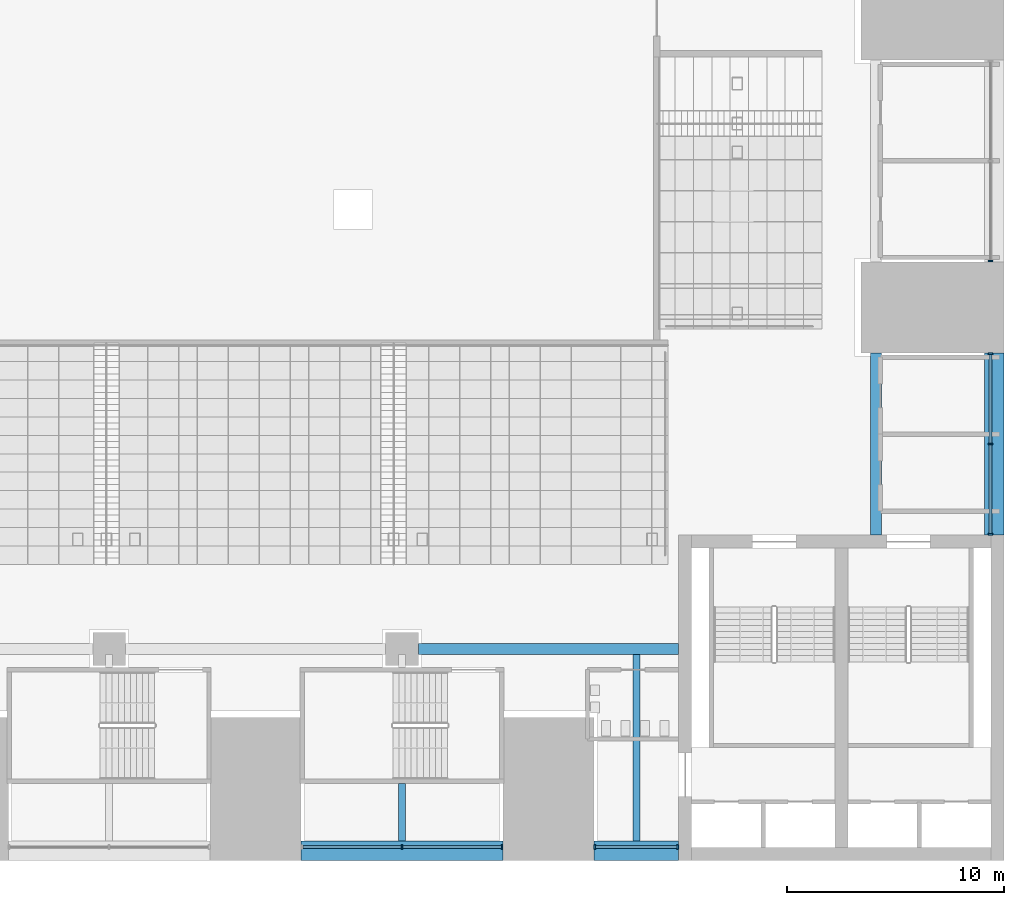
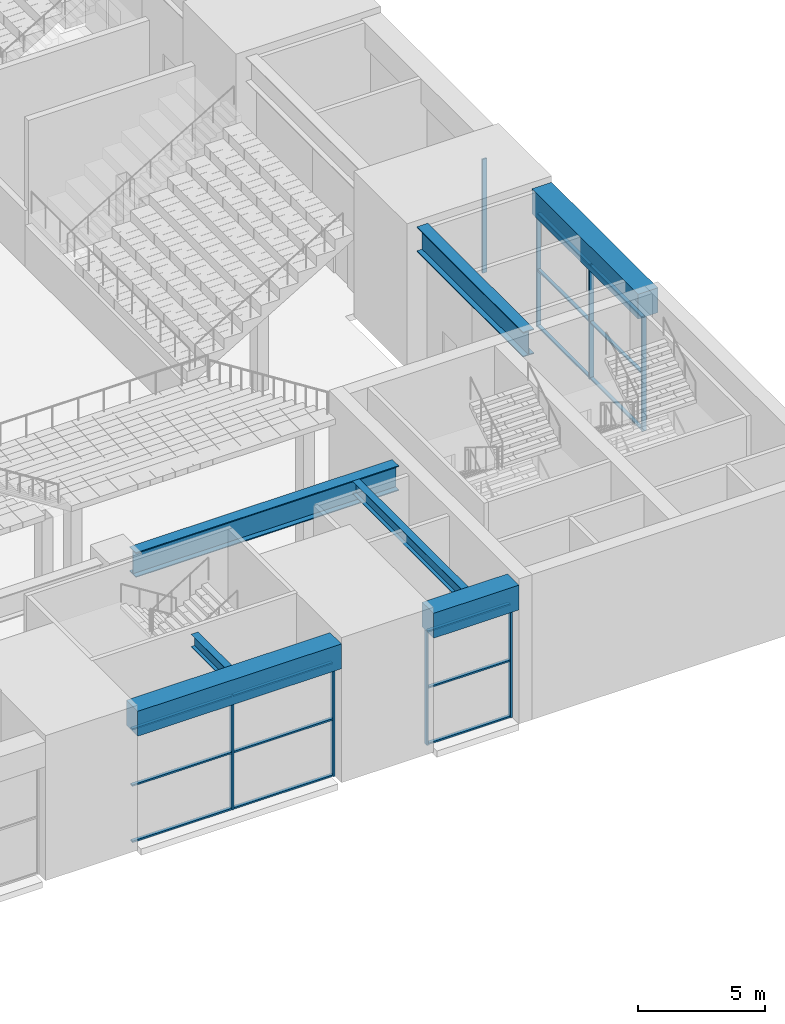
# One storey, part 8 of 62: 23 members, 7 beams, 4 elements without a shape of their own.
"""IFC4 building model written with IfcOpenShell, lengths in metres."""

from ifc_helpers import new_model, si_unit, direction, frame, origin, origin_2d, place, context, subcontext, project, spatial, rectangle, i_section, extrude, material, layer, layer_set, material_profile, profile_set, type_object, element, aggregate, save


model = new_model("IFC4")

# Units and contexts
model_context = context("Model", 3, precision=1e-05, world=origin(), true_north=direction((0.0, 1.0)))
body_context = subcontext(model_context, "Body", "Model", "MODEL_VIEW")
ifc_project = project(units=[si_unit("LENGTHUNIT", "METRE"), si_unit("AREAUNIT", "SQUARE_METRE"), si_unit("VOLUMEUNIT", "CUBIC_METRE"), si_unit("PLANEANGLEUNIT", "RADIAN"), si_unit("MASSUNIT", "GRAM", prefix="KILO")], contexts=[model_context])

# Site, building, storey
site_placement = place(None, origin())
site = spatial("IfcSite", under=ifc_project, at=site_placement, CompositionType="ELEMENT")
building_placement = place(site_placement, origin())
building = spatial("IfcBuilding", under=site, at=building_placement, Name="Corbelhall Arena Tower", CompositionType="ELEMENT")
storey_placement = place(building_placement, frame((0.0, 0.0, 12.0)))
storey = spatial("IfcBuildingStorey", under=building, at=storey_placement, Name="L01", CompositionType="ELEMENT", Elevation=12.0)

# Curtain wall, members
ifc_material_1 = material(Name="Aluminium black anodised", Category="aluminium")
ifc_layer = layer(ifc_material_1, 0.239990234375)
ifc_layer_set = layer_set([ifc_layer], Name="EV-CW4 Arena concourse glazing")
curtain_wall_type = type_object("IfcCurtainWallType", Name="EV-CW4 Arena concourse glazing", PredefinedType="NOTDEFINED", material=ifc_layer_set)
curtain_wall_1_placement = place(storey_placement, origin())
curtain_wall_1 = element("IfcCurtainWall", 1, at=curtain_wall_1_placement, inside=storey, type_object=curtain_wall_type, Name="Curtain wall CW4", PredefinedType="NOTDEFINED")
ifc_material_profile_1 = material_profile(ifc_material_1, rectangle(XDim=0.199951171875, YDim=0.074951171875, at=origin_2d()))
ifc_profile_set_1 = profile_set([ifc_material_profile_1], Name="Aluminium black anodised")
member_type_1 = type_object("IfcMemberType", Name="EV-CW4-MULLION", PredefinedType="MULLION", material=ifc_profile_set_1)
member_1_placement = place(storey_placement, frame((20.25, -38.3798828125, 0.0), z_axis=(0.0, 0.0, 1.0), x_axis=(0.0, 1.0, 0.0)))
member_1 = element("IfcMember", 2, at=member_1_placement, type_object=member_type_1, Name="CW4 mullion 2", PredefinedType="MULLION", context=body_context, shape_type="SweptSolid", body=[
    extrude(rectangle(XDim=0.199951171875, YDim=0.074951171875, at=origin_2d()), origin(), (0.0, 0.0, 1.0), 5.5),
])
member_2_placement = place(storey_placement, frame((24.862548828125, -38.3798828125, 0.0), z_axis=(0.0, 0.0, 1.0), x_axis=(0.0, 1.0, 0.0)))
member_2 = element("IfcMember", 3, at=member_2_placement, type_object=member_type_1, Name="CW4 mullion 3", PredefinedType="MULLION", context=body_context, shape_type="SweptSolid", body=[
    extrude(rectangle(XDim=0.199951171875, YDim=0.074951171875, at=origin_2d()), origin(), (0.0, 0.0, 1.0), 5.5),
])

curtain_wall_2_placement = place(storey_placement, origin())
curtain_wall_2 = element("IfcCurtainWall", 4, at=curtain_wall_2_placement, inside=storey, type_object=curtain_wall_type, Name="Curtain wall CW4A", PredefinedType="NOTDEFINED")
member_3_placement = place(storey_placement, frame((29.137451171875, -38.3798828125, 0.0), z_axis=(0.0, 0.0, 1.0), x_axis=(0.0, 1.0, 0.0)))
member_3 = element("IfcMember", 5, at=member_3_placement, type_object=member_type_1, Name="CW4A mullion 1", PredefinedType="MULLION", context=body_context, shape_type="SweptSolid", body=[
    extrude(rectangle(XDim=0.199951171875, YDim=0.074951171875, at=origin_2d()), origin(), (0.0, 0.0, 1.0), 5.5),
])
member_4_placement = place(storey_placement, frame((32.96240234375, -38.3798828125, 0.0), z_axis=(0.0, 0.0, 1.0), x_axis=(0.0, 1.0, 0.0)))
member_4 = element("IfcMember", 6, at=member_4_placement, type_object=member_type_1, Name="CW4A mullion 2", PredefinedType="MULLION", context=body_context, shape_type="SweptSolid", body=[
    extrude(rectangle(XDim=0.199951171875, YDim=0.074951171875, at=origin_2d()), origin(), (0.0, 0.0, 1.0), 5.5),
])

curtain_wall_3_placement = place(storey_placement, origin())
curtain_wall_3 = element("IfcCurtainWall", 7, at=curtain_wall_3_placement, inside=storey, type_object=curtain_wall_type, Name="Curtain wall CW4B", PredefinedType="NOTDEFINED")
member_5_placement = place(storey_placement, frame((47.3798828125, -23.96240234375, 0.0), z_axis=(0.0, 0.0, 1.0), x_axis=(-1.0, 0.0, 0.0)))
member_5 = element("IfcMember", 8, at=member_5_placement, type_object=member_type_1, Name="CW4B mullion 1", PredefinedType="MULLION", context=body_context, shape_type="SweptSolid", body=[
    extrude(rectangle(XDim=0.199951171875, YDim=0.074951171875, at=origin_2d()), origin(), (0.0, 0.0, 1.0), 5.5),
])
member_6_placement = place(storey_placement, frame((47.3798828125, -19.800048828125, 0.0), z_axis=(0.0, 0.0, 1.0), x_axis=(-1.0, 0.0, 0.0)))
member_6 = element("IfcMember", 9, at=member_6_placement, type_object=member_type_1, Name="CW4B mullion 2", PredefinedType="MULLION", context=body_context, shape_type="SweptSolid", body=[
    extrude(rectangle(XDim=0.199951171875, YDim=0.074951171875, at=origin_2d()), origin(), (0.0, 0.0, 1.0), 5.5),
])
member_7_placement = place(storey_placement, frame((47.3798828125, -15.637451171875, 0.0), z_axis=(0.0, 0.0, 1.0), x_axis=(-1.0, 0.0, 0.0)))
member_7 = element("IfcMember", 10, at=member_7_placement, type_object=member_type_1, Name="CW4B mullion 3", PredefinedType="MULLION", context=body_context, shape_type="SweptSolid", body=[
    extrude(rectangle(XDim=0.199951171875, YDim=0.074951171875, at=origin_2d()), origin(), (0.0, 0.0, 1.0), 5.5),
])

# Curtain wall, member
curtain_wall_4_placement = place(storey_placement, origin())
curtain_wall_4 = element("IfcCurtainWall", 11, at=curtain_wall_4_placement, inside=storey, type_object=curtain_wall_type, Name="Curtain wall CW4", PredefinedType="NOTDEFINED")
member_8_placement = place(storey_placement, frame((47.3798828125, -11.362548828125, 0.0), z_axis=(0.0, 0.0, 1.0), x_axis=(-1.0, 0.0, 0.0)))
member_8 = element("IfcMember", 12, at=member_8_placement, type_object=member_type_1, Name="CW4 mullion 1", PredefinedType="MULLION", context=body_context, shape_type="SweptSolid", body=[
    extrude(rectangle(XDim=0.199951171875, YDim=0.074951171875, at=origin_2d()), origin(), (0.0, 0.0, 1.0), 5.5),
])
aggregate(curtain_wall_4, [member_8])

# Member
ifc_material_profile_2 = material_profile(ifc_material_1, rectangle(XDim=0.14990234375, YDim=0.074951171875, at=origin_2d()))
ifc_profile_set_2 = profile_set([ifc_material_profile_2], Name="Aluminium black anodised")
member_type_2 = type_object("IfcMemberType", Name="EV-CW4-TRANSOM", PredefinedType="USERDEFINED", material=ifc_profile_set_2)
member_9_placement = place(storey_placement, frame((15.675048828125, -38.3798828125, 0.03759765625), z_axis=(1.0, 0.0, 0.0), x_axis=(0.0, 1.0, 0.0)))
member_9 = element("IfcMember", 13, at=member_9_placement, type_object=member_type_2, Name="CW4 transom 1.1", ObjectType="transom", PredefinedType="USERDEFINED", context=body_context, shape_type="SweptSolid", body=[
    extrude(rectangle(XDim=0.14990234375, YDim=0.074951171875, at=origin_2d()), origin(), (0.0, 0.0, 1.0), 4.537353515625),
])

member_10_placement = place(storey_placement, frame((15.675048828125, -38.3798828125, 2.75), z_axis=(1.0, 0.0, 0.0), x_axis=(0.0, 1.0, 0.0)))
member_10 = element("IfcMember", 14, at=member_10_placement, type_object=member_type_2, Name="CW4 transom 1.2", ObjectType="transom", PredefinedType="USERDEFINED", context=body_context, shape_type="SweptSolid", body=[
    extrude(rectangle(XDim=0.14990234375, YDim=0.074951171875, at=origin_2d()), origin(), (0.0, 0.0, 1.0), 4.537353515625),
])

member_11_placement = place(storey_placement, frame((15.675048828125, -38.3798828125, 5.46240234375), z_axis=(1.0, 0.0, 0.0), x_axis=(0.0, 1.0, 0.0)))
member_11 = element("IfcMember", 15, at=member_11_placement, type_object=member_type_2, Name="CW4 transom 1.3", ObjectType="transom", PredefinedType="USERDEFINED", context=body_context, shape_type="SweptSolid", body=[
    extrude(rectangle(XDim=0.14990234375, YDim=0.074951171875, at=origin_2d()), origin(), (0.0, 0.0, 1.0), 4.537353515625),
])

member_12_placement = place(storey_placement, frame((20.28759765625, -38.3798828125, 0.03759765625), z_axis=(1.0, 0.0, 0.0), x_axis=(0.0, 1.0, 0.0)))
member_12 = element("IfcMember", 16, at=member_12_placement, type_object=member_type_2, Name="CW4 transom 2.1", ObjectType="transom", PredefinedType="USERDEFINED", context=body_context, shape_type="SweptSolid", body=[
    extrude(rectangle(XDim=0.14990234375, YDim=0.074951171875, at=origin_2d()), origin(), (0.0, 0.0, 1.0), 4.537353515625),
])

member_13_placement = place(storey_placement, frame((20.28759765625, -38.3798828125, 2.75), z_axis=(1.0, 0.0, 0.0), x_axis=(0.0, 1.0, 0.0)))
member_13 = element("IfcMember", 17, at=member_13_placement, type_object=member_type_2, Name="CW4 transom 2.2", ObjectType="transom", PredefinedType="USERDEFINED", context=body_context, shape_type="SweptSolid", body=[
    extrude(rectangle(XDim=0.14990234375, YDim=0.074951171875, at=origin_2d()), origin(), (0.0, 0.0, 1.0), 4.537353515625),
])

member_14_placement = place(storey_placement, frame((20.28759765625, -38.3798828125, 5.46240234375), z_axis=(1.0, 0.0, 0.0), x_axis=(0.0, 1.0, 0.0)))
member_14 = element("IfcMember", 18, at=member_14_placement, type_object=member_type_2, Name="CW4 transom 2.3", ObjectType="transom", PredefinedType="USERDEFINED", context=body_context, shape_type="SweptSolid", body=[
    extrude(rectangle(XDim=0.14990234375, YDim=0.074951171875, at=origin_2d()), origin(), (0.0, 0.0, 1.0), 4.537353515625),
])

aggregate(curtain_wall_1, [member_1, member_2, member_9, member_10, member_11, member_12, member_13, member_14])

member_15_placement = place(storey_placement, frame((29.175048828125, -38.3798828125, 0.03759765625), z_axis=(1.0, 0.0, 0.0), x_axis=(0.0, 1.0, 0.0)))
member_15 = element("IfcMember", 19, at=member_15_placement, type_object=member_type_2, Name="CW4A transom 1.1", ObjectType="transom", PredefinedType="USERDEFINED", context=body_context, shape_type="SweptSolid", body=[
    extrude(rectangle(XDim=0.14990234375, YDim=0.074951171875, at=origin_2d()), origin(), (0.0, 0.0, 1.0), 3.75),
])

member_16_placement = place(storey_placement, frame((29.175048828125, -38.3798828125, 2.75), z_axis=(1.0, 0.0, 0.0), x_axis=(0.0, 1.0, 0.0)))
member_16 = element("IfcMember", 20, at=member_16_placement, type_object=member_type_2, Name="CW4A transom 1.2", ObjectType="transom", PredefinedType="USERDEFINED", context=body_context, shape_type="SweptSolid", body=[
    extrude(rectangle(XDim=0.14990234375, YDim=0.074951171875, at=origin_2d()), origin(), (0.0, 0.0, 1.0), 3.75),
])

member_17_placement = place(storey_placement, frame((29.175048828125, -38.3798828125, 5.46240234375), z_axis=(1.0, 0.0, 0.0), x_axis=(0.0, 1.0, 0.0)))
member_17 = element("IfcMember", 21, at=member_17_placement, type_object=member_type_2, Name="CW4A transom 1.3", ObjectType="transom", PredefinedType="USERDEFINED", context=body_context, shape_type="SweptSolid", body=[
    extrude(rectangle(XDim=0.14990234375, YDim=0.074951171875, at=origin_2d()), origin(), (0.0, 0.0, 1.0), 3.75),
])

aggregate(curtain_wall_2, [member_3, member_4, member_15, member_16, member_17])

member_18_placement = place(storey_placement, frame((47.3798828125, -23.925048828125, 0.03759765625), z_axis=(0.0, 1.0, 0.0), x_axis=(-1.0, 0.0, 0.0)))
member_18 = element("IfcMember", 22, at=member_18_placement, type_object=member_type_2, Name="CW4B transom 1.1", ObjectType="transom", PredefinedType="USERDEFINED", context=body_context, shape_type="SweptSolid", body=[
    extrude(rectangle(XDim=0.14990234375, YDim=0.074951171875, at=origin_2d()), origin(), (0.0, 0.0, 1.0), 4.087646484375),
])

member_19_placement = place(storey_placement, frame((47.3798828125, -23.925048828125, 2.75), z_axis=(0.0, 1.0, 0.0), x_axis=(-1.0, 0.0, 0.0)))
member_19 = element("IfcMember", 23, at=member_19_placement, type_object=member_type_2, Name="CW4B transom 1.2", ObjectType="transom", PredefinedType="USERDEFINED", context=body_context, shape_type="SweptSolid", body=[
    extrude(rectangle(XDim=0.14990234375, YDim=0.074951171875, at=origin_2d()), origin(), (0.0, 0.0, 1.0), 4.087646484375),
])

member_20_placement = place(storey_placement, frame((47.3798828125, -23.925048828125, 5.46240234375), z_axis=(0.0, 1.0, 0.0), x_axis=(-1.0, 0.0, 0.0)))
member_20 = element("IfcMember", 24, at=member_20_placement, type_object=member_type_2, Name="CW4B transom 1.3", ObjectType="transom", PredefinedType="USERDEFINED", context=body_context, shape_type="SweptSolid", body=[
    extrude(rectangle(XDim=0.14990234375, YDim=0.074951171875, at=origin_2d()), origin(), (0.0, 0.0, 1.0), 4.087646484375),
])

member_21_placement = place(storey_placement, frame((47.3798828125, -19.762451171875, 0.03759765625), z_axis=(0.0, 1.0, 0.0), x_axis=(-1.0, 0.0, 0.0)))
member_21 = element("IfcMember", 25, at=member_21_placement, type_object=member_type_2, Name="CW4B transom 2.1", ObjectType="transom", PredefinedType="USERDEFINED", context=body_context, shape_type="SweptSolid", body=[
    extrude(rectangle(XDim=0.14990234375, YDim=0.074951171875, at=origin_2d()), origin(), (0.0, 0.0, 1.0), 4.08740234375),
])

member_22_placement = place(storey_placement, frame((47.3798828125, -19.762451171875, 2.75), z_axis=(0.0, 1.0, 0.0), x_axis=(-1.0, 0.0, 0.0)))
member_22 = element("IfcMember", 26, at=member_22_placement, type_object=member_type_2, Name="CW4B transom 2.2", ObjectType="transom", PredefinedType="USERDEFINED", context=body_context, shape_type="SweptSolid", body=[
    extrude(rectangle(XDim=0.14990234375, YDim=0.074951171875, at=origin_2d()), origin(), (0.0, 0.0, 1.0), 4.08740234375),
])

member_23_placement = place(storey_placement, frame((47.3798828125, -19.762451171875, 5.46240234375), z_axis=(0.0, 1.0, 0.0), x_axis=(-1.0, 0.0, 0.0)))
member_23 = element("IfcMember", 27, at=member_23_placement, type_object=member_type_2, Name="CW4B transom 2.3", ObjectType="transom", PredefinedType="USERDEFINED", context=body_context, shape_type="SweptSolid", body=[
    extrude(rectangle(XDim=0.14990234375, YDim=0.074951171875, at=origin_2d()), origin(), (0.0, 0.0, 1.0), 4.08740234375),
])

aggregate(curtain_wall_3, [member_5, member_6, member_7, member_18, member_19, member_20, member_21, member_22, member_23])

# Beams
ifc_material_2 = material(Name="Steel ASTM A992 Gr50", Category="steel")
ifc_material_profile_3 = material_profile(ifc_material_2, i_section(OverallWidth=0.323974609375, OverallDepth=0.611083984375, WebThickness=0.0126953125, FlangeThickness=0.01904296875, at=origin_2d()))
ifc_profile_set_3 = profile_set([ifc_material_profile_3], Name="Steel ASTM A992 Gr50")
beam_type_1 = type_object("IfcBeamType", Name="PO-BEAM-W24X104", PredefinedType="BEAM", material=ifc_profile_set_3)
beam_1_placement = place(storey_placement, frame((20.25, -35.449951171875, 6.39453125), z_axis=(0.0, -1.0, 0.0), x_axis=(1.0, 0.0, 0.0)))
element("IfcBeam", 28, at=beam_1_placement, inside=storey, type_object=beam_type_1, Name="CONCOURSE BEAM", PredefinedType="BEAM", context=body_context, shape_type="SweptSolid", body=[
    extrude(i_section(OverallWidth=0.323974609375, OverallDepth=0.611083984375, WebThickness=0.0126953125, FlangeThickness=0.01904296875, at=origin_2d()), origin(), (0.0, 0.0, 1.0), 2.650146484375),
])
beam_2_placement = place(storey_placement, frame((31.050048828125, -29.5, 6.39453125), z_axis=(0.0, -1.0, 0.0), x_axis=(1.0, 0.0, 0.0)))
element("IfcBeam", 29, at=beam_2_placement, inside=storey, type_object=beam_type_1, Name="CONCOURSE BEAM", PredefinedType="BEAM", context=body_context, shape_type="SweptSolid", body=[
    extrude(i_section(OverallWidth=0.323974609375, OverallDepth=0.611083984375, WebThickness=0.0126953125, FlangeThickness=0.01904296875, at=origin_2d()), origin(), (0.0, 0.0, 1.0), 8.60009765625),
])
ifc_material_3 = material(Name="Steel ASTM A572 Gr50", Category="steel")
ifc_material_profile_4 = material_profile(ifc_material_3, i_section(OverallWidth=0.5, OverallDepth=1.199951171875, WebThickness=0.02490234375, FlangeThickness=0.044921875, at=origin_2d()))
ifc_profile_set_4 = profile_set([ifc_material_profile_4], Name="Steel ASTM A572 Gr50")
beam_type_2 = type_object("IfcBeamType", Name="PO-GIRDER-PG1200X500X25X45", PredefinedType="BEAM", material=ifc_profile_set_4)
beam_3_placement = place(storey_placement, frame((21.0, -29.25, 6.10009765625), z_axis=(1.0, 0.0, 0.0), x_axis=(0.0, 1.0, 0.0)))
element("IfcBeam", 30, at=beam_3_placement, inside=storey, type_object=beam_type_2, Name="RING GIRDER", PredefinedType="BEAM", context=body_context, shape_type="SweptSolid", body=[
    extrude(i_section(OverallWidth=0.5, OverallDepth=1.199951171875, WebThickness=0.02490234375, FlangeThickness=0.044921875, at=origin_2d()), origin(), (0.0, 0.0, 1.0), 12.0),
])
beam_4_placement = place(storey_placement, frame((42.10009765625, -24.0, 6.10009765625), z_axis=(0.0, 1.0, 0.0), x_axis=(-1.0, 0.0, 0.0)))
element("IfcBeam", 31, at=beam_4_placement, inside=storey, type_object=beam_type_2, Name="INNER END GIRDER", PredefinedType="BEAM", context=body_context, shape_type="SweptSolid", body=[
    extrude(i_section(OverallWidth=0.5, OverallDepth=1.199951171875, WebThickness=0.02490234375, FlangeThickness=0.044921875, at=origin_2d()), origin(), (0.0, 0.0, 1.0), 8.39990234375),
])
ifc_material_4 = material(Name="Concrete C80/95", Category="concrete")
ifc_material_profile_5 = material_profile(ifc_material_4, rectangle(XDim=0.89990234375, YDim=1.199951171875, at=origin_2d()))
ifc_profile_set_5 = profile_set([ifc_material_profile_5], Name="Concrete C80/95")
beam_type_3 = type_object("IfcBeamType", Name="PO-RING-BEAM", PredefinedType="BEAM", material=ifc_profile_set_5)
beam_5_placement = place(storey_placement, frame((15.60009765625, -38.550048828125, 6.10009765625), z_axis=(1.0, 0.0, 0.0), x_axis=(0.0, 1.0, 0.0)))
element("IfcBeam", 32, at=beam_5_placement, inside=storey, type_object=beam_type_3, Name="RING GIRDER L02 S5", PredefinedType="BEAM", context=body_context, shape_type="SweptSolid", body=[
    extrude(rectangle(XDim=0.89990234375, YDim=1.199951171875, at=origin_2d()), origin(), (0.0, 0.0, 1.0), 9.2998046875),
])
beam_6_placement = place(storey_placement, frame((29.10009765625, -38.550048828125, 6.10009765625), z_axis=(1.0, 0.0, 0.0), x_axis=(0.0, 1.0, 0.0)))
element("IfcBeam", 33, at=beam_6_placement, inside=storey, type_object=beam_type_3, Name="RING GIRDER L02 S6", PredefinedType="BEAM", context=body_context, shape_type="SweptSolid", body=[
    extrude(rectangle(XDim=0.89990234375, YDim=1.199951171875, at=origin_2d()), origin(), (0.0, 0.0, 1.0), 3.89990234375),
])
beam_7_placement = place(storey_placement, frame((47.550048828125, -24.0, 6.10009765625), z_axis=(0.0, 1.0, 0.0), x_axis=(-1.0, 0.0, 0.0)))
element("IfcBeam", 34, at=beam_7_placement, inside=storey, type_object=beam_type_3, Name="RING GIRDER L02 E1", PredefinedType="BEAM", context=body_context, shape_type="SweptSolid", body=[
    extrude(rectangle(XDim=0.89990234375, YDim=1.199951171875, at=origin_2d()), origin(), (0.0, 0.0, 1.0), 8.39990234375),
])

save(model, "model.ifc")
